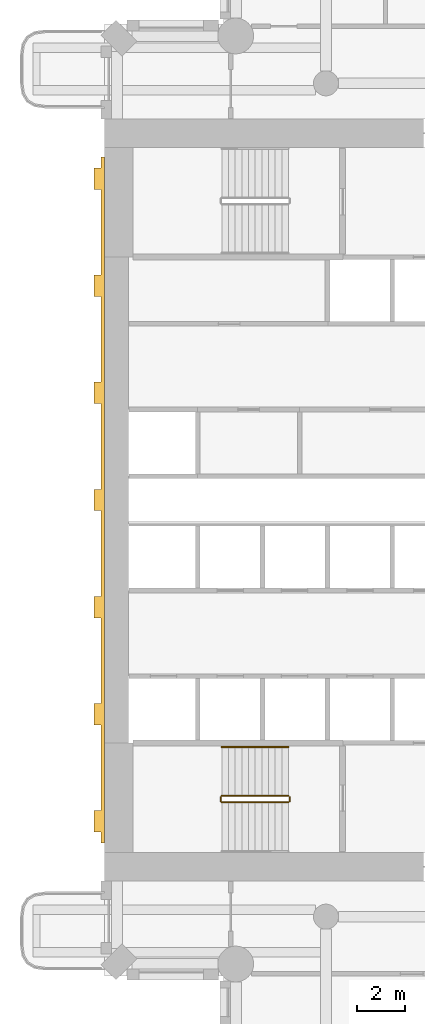
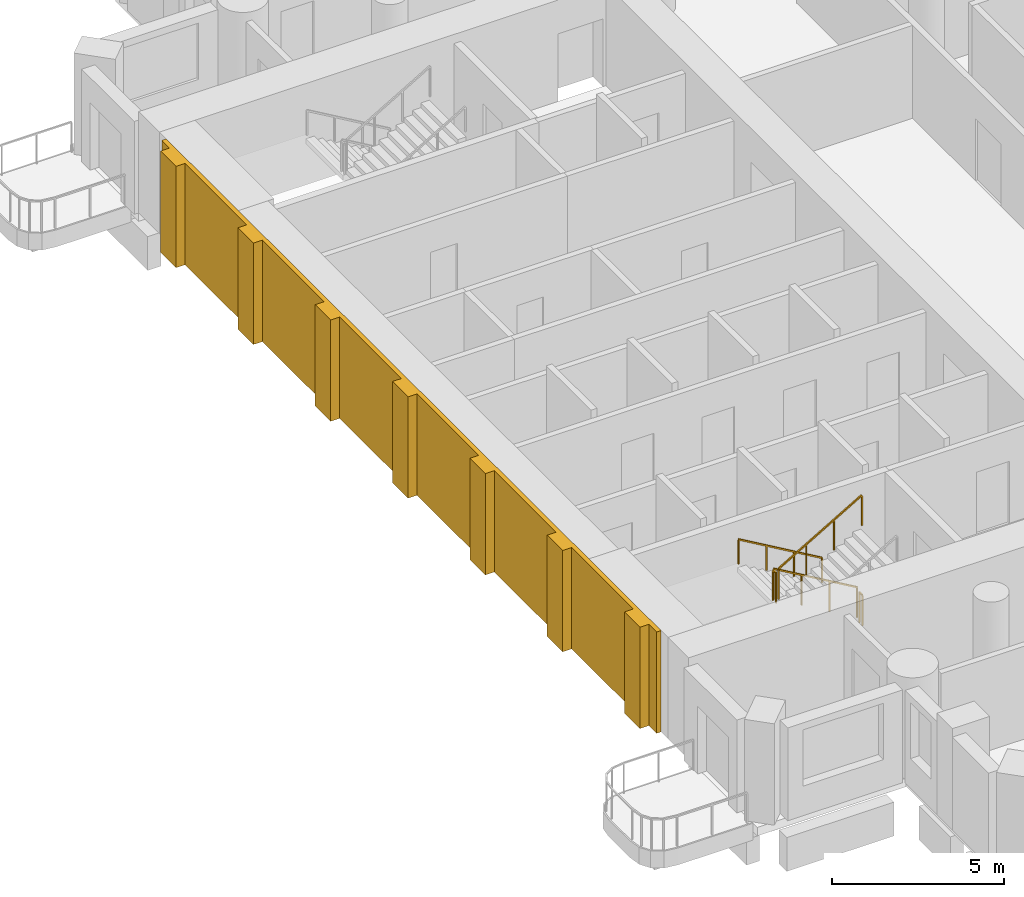
# One storey, part 13 of 19: 5 railings, 1 covering.
"""IFC4 building model written with IfcOpenShell, lengths in metres."""

from ifc_helpers import new_model, si_unit, direction, frame, origin, origin_2d, place, context, subcontext, project, spatial, polyline, rectangle, outline, extrude, material, layer, layer_set, type_object, element, save


model = new_model("IFC4")

# Units and contexts
model_context = context("Model", 3, precision=1e-05, world=origin(), true_north=direction((0.0, 1.0)))
body_context = subcontext(model_context, "Body", "Model", "MODEL_VIEW")
ifc_project = project(units=[si_unit("LENGTHUNIT", "METRE"), si_unit("AREAUNIT", "SQUARE_METRE"), si_unit("VOLUMEUNIT", "CUBIC_METRE"), si_unit("PLANEANGLEUNIT", "RADIAN"), si_unit("MASSUNIT", "GRAM", prefix="KILO")], contexts=[model_context])

# Site, building, storey
site_placement = place(None, origin())
site = spatial("IfcSite", under=ifc_project, at=site_placement, CompositionType="ELEMENT")
building_placement = place(site_placement, origin())
building = spatial("IfcBuilding", under=site, at=building_placement, Name="Cypress Arch Tower", CompositionType="ELEMENT")
storey_placement = place(building_placement, frame((0.0, 0.0, 105.89990234375)))
storey = spatial("IfcBuildingStorey", under=building, at=storey_placement, Name="L21", CompositionType="ELEMENT", Elevation=105.89990234375)

# Railings
ifc_material_1 = material(Name="Black powder-coated steel square bar 48 mm", Category="steel")
railing_type_1 = type_object("IfcRailingType", Name="Stair handrail HR1", PredefinedType="HANDRAIL", material=ifc_material_1)
railing_1_placement = place(storey_placement, frame((-22.27490234375, -10.375, 0.163818359375)))
element("IfcRailing", 1, at=railing_1_placement, inside=storey, type_object=railing_type_1, Name="L21 A stair handrail 1", PredefinedType="HANDRAIL", context=body_context, shape_type="SweptSolid", body=[
    extrude(rectangle(XDim=0.048095703125, YDim=0.048095703125, at=origin_2d()), frame((0.0, 0.0, 0.8759765625), z_axis=(-0.863393664356, 0.0, 0.504530851732), x_axis=(0.0, -1.0, 0.0)), (0.0, 0.0, 1.0), 3.2431640625),
    extrude(rectangle(XDim=0.0419921875, YDim=0.0419921875, at=origin_2d()), origin(), (0.0, 0.0, 1.0), 0.851806640625),
    extrude(rectangle(XDim=0.0419921875, YDim=0.0419921875, at=origin_2d()), frame((-0.933349609375, 0.0, 0.54541015625)), (0.0, 0.0, 1.0), 0.851806640625),
    extrude(rectangle(XDim=0.0419921875, YDim=0.0419921875, at=origin_2d()), frame((-1.86669921875, 0.0, 1.0908203125)), (0.0, 0.0, 1.0), 0.851806640625),
    extrude(rectangle(XDim=0.0419921875, YDim=0.0419921875, at=origin_2d()), frame((-2.800048828125, 0.0, 1.63623046875)), (0.0, 0.0, 1.0), 0.851806640625),
])
ifc_material_2 = material(Name="Black powder-coated steel balusters", Category="steel")
railing_type_2 = type_object("IfcRailingType", Name="Stair well guard G1", PredefinedType="GUARDRAIL", material=ifc_material_2)
railing_2_placement = place(storey_placement, frame((-22.27490234375, -12.425048828125, 0.163818359375)))
element("IfcRailing", 2, at=railing_2_placement, inside=storey, type_object=railing_type_2, Name="L21 A stair guard 1", PredefinedType="GUARDRAIL", context=body_context, shape_type="SweptSolid", body=[
    extrude(rectangle(XDim=0.048095703125, YDim=0.048095703125, at=origin_2d()), frame((0.0, 0.0, 1.076171875), z_axis=(-0.863393664356, 0.0, 0.504530851732), x_axis=(0.0, -1.0, 0.0)), (0.0, 0.0, 1.0), 3.2431640625),
    extrude(rectangle(XDim=0.0419921875, YDim=0.0419921875, at=origin_2d()), origin(), (0.0, 0.0, 1.0), 1.052001953125),
    extrude(rectangle(XDim=0.0419921875, YDim=0.0419921875, at=origin_2d()), frame((-0.933349609375, 0.0, 0.54541015625)), (0.0, 0.0, 1.0), 1.052001953125),
    extrude(rectangle(XDim=0.0419921875, YDim=0.0419921875, at=origin_2d()), frame((-1.86669921875, 0.0, 1.0908203125)), (0.0, 0.0, 1.0), 1.052001953125),
    extrude(rectangle(XDim=0.0419921875, YDim=0.0419921875, at=origin_2d()), frame((-2.800048828125, 0.0, 1.63623046875)), (0.0, 0.0, 1.0), 1.052001953125),
])
railing_3_placement = place(storey_placement, frame((-25.125, -12.47509765625, 1.800048828125)))
element("IfcRailing", 3, at=railing_3_placement, inside=storey, type_object=railing_type_2, Name="L21 A stair guard 2", PredefinedType="GUARDRAIL", context=body_context, shape_type="SweptSolid", body=[
    extrude(rectangle(XDim=0.048095703125, YDim=0.048095703125, at=origin_2d()), frame((0.0, 0.0, 1.076171875), z_axis=(0.0, -1.0, 0.0), x_axis=(1.0, 0.0, 0.0)), (0.0, 0.0, 1.0), 0.1748046875),
    extrude(rectangle(XDim=0.0419921875, YDim=0.0419921875, at=origin_2d()), origin(), (0.0, 0.0, 1.0), 1.052001953125),
    extrude(rectangle(XDim=0.0419921875, YDim=0.0419921875, at=origin_2d()), frame((0.0, -0.1748046875, 0.0)), (0.0, 0.0, 1.0), 1.052001953125),
])
railing_4_placement = place(storey_placement, frame((-25.074951171875, -12.699951171875, 1.963623046875)))
element("IfcRailing", 4, at=railing_4_placement, inside=storey, type_object=railing_type_2, Name="L21 A stair guard 3", PredefinedType="GUARDRAIL", context=body_context, shape_type="SweptSolid", body=[
    extrude(rectangle(XDim=0.048095703125, YDim=0.048095703125, at=origin_2d()), frame((0.0, 0.0, 1.076171875), z_axis=(0.863360870873, 0.0, 0.504586966384), x_axis=(0.0, 1.0, 0.0)), (0.0, 0.0, 1.0), 3.2431640625),
    extrude(rectangle(XDim=0.0419921875, YDim=0.0419921875, at=origin_2d()), origin(), (0.0, 0.0, 1.0), 1.052001953125),
    extrude(rectangle(XDim=0.0419921875, YDim=0.0419921875, at=origin_2d()), frame((0.933349609375, 0.0, 0.54541015625)), (0.0, 0.0, 1.0), 1.052001953125),
    extrude(rectangle(XDim=0.0419921875, YDim=0.0419921875, at=origin_2d()), frame((1.86669921875, 0.0, 1.091064453125)), (0.0, 0.0, 1.0), 1.052001953125),
    extrude(rectangle(XDim=0.0419921875, YDim=0.0419921875, at=origin_2d()), frame((2.800048828125, 0.0, 1.636474609375)), (0.0, 0.0, 1.0), 1.052001953125),
])
railing_5_placement = place(storey_placement, frame((-22.22509765625, -12.47509765625, 0.0)))
element("IfcRailing", 5, at=railing_5_placement, inside=storey, type_object=railing_type_2, Name="L21 A stair guard 4", PredefinedType="GUARDRAIL", context=body_context, shape_type="SweptSolid", body=[
    extrude(rectangle(XDim=0.048095703125, YDim=0.048095703125, at=origin_2d()), frame((0.0, 0.0, 1.076171875), z_axis=(0.0, -1.0, 0.0), x_axis=(1.0, 0.0, 0.0)), (0.0, 0.0, 1.0), 0.1748046875),
    extrude(rectangle(XDim=0.0419921875, YDim=0.0419921875, at=origin_2d()), origin(), (0.0, 0.0, 1.0), 1.052001953125),
    extrude(rectangle(XDim=0.0419921875, YDim=0.0419921875, at=origin_2d()), frame((0.0, -0.1748046875, 0.0)), (0.0, 0.0, 1.0), 1.052001953125),
])

# Covering
ifc_material_3 = material(Name="Brick (red buff blend)", Category="masonry")
ifc_layer = layer(ifc_material_3, 0.449951171875)
ifc_layer_set = layer_set([ifc_layer], Name="West face brick piers WP450")
covering_type = type_object("IfcCoveringType", Name="West face brick piers WP450", PredefinedType="CLADDING", material=ifc_layer_set)
covering_placement = place(storey_placement, origin())
element("IfcCovering", 6, at=covering_placement, inside=storey, type_object=covering_type, Name="West face brick piers L21", PredefinedType="CLADDING", context=body_context, shape_type="SweptSolid", body=[
    extrude(outline(polyline([(-30.14990234375, -13.050048828125), (-30.14990234375, -9.449951171875), (-30.449951171875, -9.449951171875), (-30.449951171875, -8.550048828125), (-30.14990234375, -8.550048828125), (-30.14990234375, -4.949951171875), (-30.449951171875, -4.949951171875), (-30.449951171875, -4.050048828125), (-30.14990234375, -4.050048828125), (-30.14990234375, -0.449951171875), (-30.449951171875, -0.449951171875), (-30.449951171875, 0.449951171875), (-30.14990234375, 0.449951171875), (-30.14990234375, 4.050048828125), (-30.449951171875, 4.050048828125), (-30.449951171875, 4.949951171875), (-30.14990234375, 4.949951171875), (-30.14990234375, 8.550048828125), (-30.449951171875, 8.550048828125), (-30.449951171875, 9.449951171875), (-30.14990234375, 9.449951171875), (-30.14990234375, 13.050048828125), (-30.449951171875, 13.050048828125), (-30.449951171875, 13.949951171875), (-30.14990234375, 13.949951171875), (-30.14990234375, 14.39990234375), (-30.0, 14.39990234375), (-30.0, -14.39990234375), (-30.14990234375, -14.39990234375), (-30.14990234375, -13.949951171875), (-30.449951171875, -13.949951171875), (-30.449951171875, -13.050048828125), (-30.14990234375, -13.050048828125)])), origin(), (0.0, 0.0, 1.0), 3.60009765625),
])

save(model, "model.ifc")
